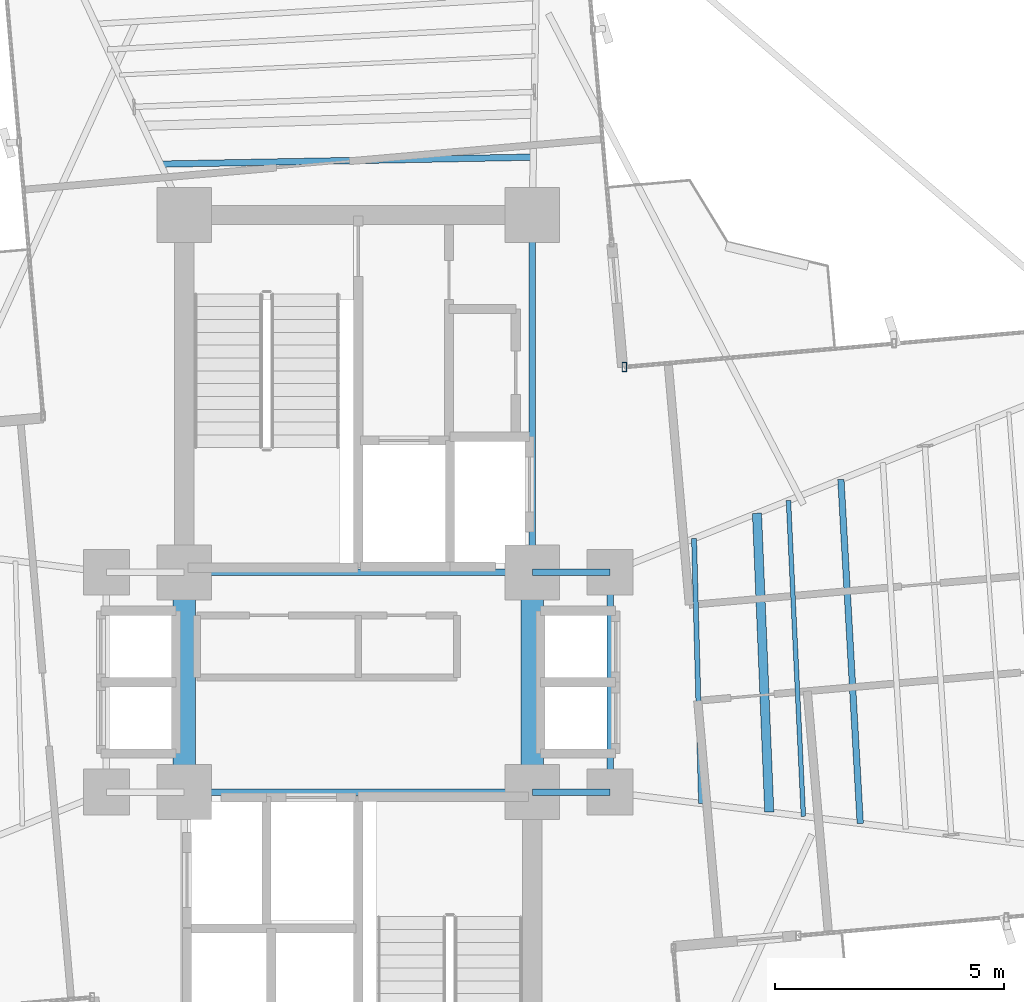
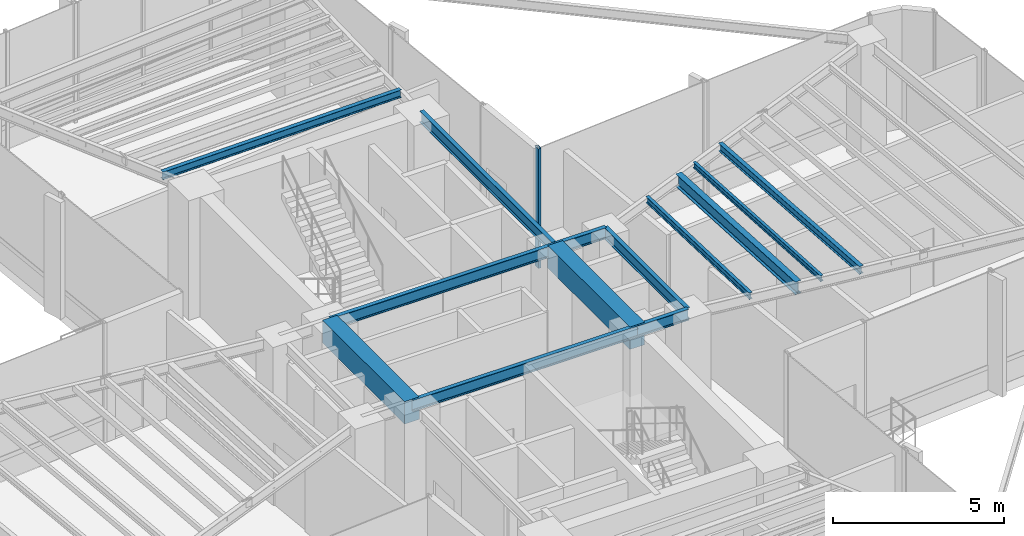
# One storey, part 6 of 19: 13 beams, 1 member, 1 element without a shape of its own.
"""IFC4 building model written with IfcOpenShell, lengths in metres."""

from ifc_helpers import new_model, si_unit, direction, frame, origin, origin_2d, place, context, subcontext, project, spatial, rectangle, hollow_rectangle, i_section, extrude, source, transform, mapped, material, material_profile, profile_set, type_object, element, aggregate, save


model = new_model("IFC4")

# Units and contexts
model_context = context("Model", 3, precision=1e-05, world=origin(), true_north=direction((0.0, 1.0)))
body_context = subcontext(model_context, "Body", "Model", "MODEL_VIEW")
ifc_project = project(units=[si_unit("LENGTHUNIT", "METRE"), si_unit("AREAUNIT", "SQUARE_METRE"), si_unit("VOLUMEUNIT", "CUBIC_METRE"), si_unit("PLANEANGLEUNIT", "RADIAN"), si_unit("MASSUNIT", "GRAM", prefix="KILO")], contexts=[model_context])

# Site, building, storey
site_placement = place(None, origin())
site = spatial("IfcSite", under=ifc_project, at=site_placement, CompositionType="ELEMENT")
building_placement = place(site_placement, origin())
building = spatial("IfcBuilding", under=site, at=building_placement, Name="Sahyath Konkavel Grand Hotel", CompositionType="ELEMENT")
storey_placement = place(building_placement, frame((0.0, 0.0, 142.75)))
storey = spatial("IfcBuildingStorey", under=building, at=storey_placement, Name="L39", CompositionType="ELEMENT", Elevation=142.75)

# Beams
ifc_material_1 = material(Name="Steel E350", Category="steel")
ifc_material_profile_1 = material_profile(ifc_material_1, i_section(OverallWidth=0.139892578125, OverallDepth=0.39990234375, WebThickness=0.0087890625, FlangeThickness=0.01611328125, FilletRadius=0.013916015625, at=origin_2d()), Name="ISMB 400")
ifc_profile_set_1 = profile_set([ifc_material_profile_1], Name="Steel E350")
beam_type_1 = type_object("IfcBeamType", Name="BM-ISMB400", PredefinedType="BEAM", material=ifc_profile_set_1)
shared_shape_1 = source(origin(), body_context, "Body", "SweptSolid", [
    extrude(i_section(OverallWidth=0.139892578125, OverallDepth=0.39990234375, WebThickness=0.0087890625, FlangeThickness=0.01611328125, FilletRadius=0.013916015625, at=origin_2d()), origin(), (0.0, 0.0, 1.0), 7.60009765625),
])
for number, where, z_axis, x_axis, name in (
    (1, (-3.800048828125, 2.39990234375, 4.06005859375), (1.0, 0.0, 0.0), (0.0, 1.0, 0.0), "str:bm:L39:NC-S"),
    (2, (-3.800048828125, -2.39990234375, 4.06005859375), (1.0, 0.0, 0.0), (0.0, 1.0, 0.0), "str:bm:L39:SC-N"),
):
    element("IfcBeam", number, at=place(storey_placement, frame(where, z_axis=z_axis, x_axis=x_axis)), inside=storey, type_object=beam_type_1, Name=name, PredefinedType="BEAM", context=body_context, shape_type="MappedRepresentation", body=[
        mapped(shared_shape_1, transform((0.0, 0.0, 0.0), scale=1.0)),
    ])
shared_shape_2 = source(origin(), body_context, "Body", "SweptSolid", [
    extrude(i_section(OverallWidth=0.139892578125, OverallDepth=0.39990234375, WebThickness=0.0087890625, FlangeThickness=0.01611328125, FilletRadius=0.013916015625, at=origin_2d()), origin(), (0.0, 0.0, 1.0), 7.800048828125),
])
beam_1_placement = place(storey_placement, frame((3.800048828125, 2.39990234375, 4.06005859375), z_axis=(0.0, 1.0, 0.0), x_axis=(-1.0, 0.0, 0.0)))
element("IfcBeam", 3, at=beam_1_placement, inside=storey, type_object=beam_type_1, Name="str:bm:L39:NC-E", PredefinedType="BEAM", context=body_context, shape_type="MappedRepresentation", body=[
    mapped(shared_shape_2, transform((0.0, 0.0, 0.0), scale=1.0)),
])
shared_shape_3 = source(origin(), body_context, "Body", "SweptSolid", [
    extrude(i_section(OverallWidth=0.139892578125, OverallDepth=0.39990234375, WebThickness=0.0087890625, FlangeThickness=0.01611328125, FilletRadius=0.013916015625, at=origin_2d()), origin(), (0.0, 0.0, 1.0), 1.699951171875),
])
for number, where, z_axis, x_axis, name in (
    (4, (3.800048828125, 2.39990234375, 4.06005859375), (1.0, 0.0, 0.0), (0.0, 1.0, 0.0), "str:bm:L39:HB-NE"),
    (5, (3.800048828125, -2.39990234375, 4.06005859375), (1.0, 0.0, 0.0), (0.0, 1.0, 0.0), "str:bm:L39:HB-SE"),
):
    element("IfcBeam", number, at=place(storey_placement, frame(where, z_axis=z_axis, x_axis=x_axis)), inside=storey, type_object=beam_type_1, Name=name, PredefinedType="BEAM", context=body_context, shape_type="MappedRepresentation", body=[
        mapped(shared_shape_3, transform((0.0, 0.0, 0.0), scale=1.0)),
    ])
shared_shape_4 = source(origin(), body_context, "Body", "SweptSolid", [
    extrude(i_section(OverallWidth=0.139892578125, OverallDepth=0.39990234375, WebThickness=0.0087890625, FlangeThickness=0.01611328125, FilletRadius=0.013916015625, at=origin_2d()), origin(), (0.0, 0.0, 1.0), 4.7998046875),
])
beam_2_placement = place(storey_placement, frame((5.5, -2.39990234375, 4.06005859375), z_axis=(0.0, 1.0, 0.0), x_axis=(-1.0, 0.0, 0.0)))
element("IfcBeam", 6, at=beam_2_placement, inside=storey, type_object=beam_type_1, Name="str:bm:L39:HB-E", PredefinedType="BEAM", context=body_context, shape_type="MappedRepresentation", body=[
    mapped(shared_shape_4, transform((0.0, 0.0, 0.0), scale=1.0)),
])
ifc_material_2 = material(Name="Concrete C50/60", Category="concrete")
ifc_material_profile_2 = material_profile(ifc_material_2, rectangle(XDim=0.5, YDim=0.800048828125, at=origin_2d()), Name="RC 500x800")
ifc_profile_set_2 = profile_set([ifc_material_profile_2], Name="Concrete C50/60")
beam_type_2 = type_object("IfcBeamType", Name="BM-CB500x800", PredefinedType="LINTEL", material=ifc_profile_set_2)
shared_shape_5 = source(origin(), body_context, "Body", "SweptSolid", [
    extrude(rectangle(XDim=0.5, YDim=0.800048828125, at=origin_2d()), origin(), (0.0, 0.0, 1.0), 4.7998046875),
])
for number, where, z_axis, x_axis, name in (
    (7, (-3.800048828125, -2.39990234375, 3.860107421875), (0.0, 1.0, 0.0), (-1.0, 0.0, 0.0), "L39 Split-Core Coupling Beam West"),
    (8, (3.800048828125, -2.39990234375, 3.860107421875), (0.0, 1.0, 0.0), (-1.0, 0.0, 0.0), "L39 Split-Core Coupling Beam East"),
):
    element("IfcBeam", number, at=place(storey_placement, frame(where, z_axis=z_axis, x_axis=x_axis)), inside=storey, type_object=beam_type_2, Name=name, PredefinedType="LINTEL", context=body_context, shape_type="MappedRepresentation", body=[
        mapped(shared_shape_5, transform((0.0, 0.0, 0.0), scale=1.0)),
    ])
ifc_material_profile_3 = material_profile(ifc_material_1, i_section(OverallWidth=0.199951171875, OverallDepth=0.449951171875, WebThickness=0.00927734375, FlangeThickness=0.015380859375, FilletRadius=0.01611328125, at=origin_2d()), Name="ISWB 450")
ifc_profile_set_3 = profile_set([ifc_material_profile_3], Name="Steel E350")
beam_type_3 = type_object("IfcBeamType", Name="BM-ISWB450", PredefinedType="BEAM", material=ifc_profile_set_3)
shared_shape_6 = source(origin(), body_context, "Body", "SweptSolid", [
    extrude(i_section(OverallWidth=0.199951171875, OverallDepth=0.449951171875, WebThickness=0.00927734375, FlangeThickness=0.015380859375, FilletRadius=0.01611328125, at=origin_2d()), origin(), (0.0, 0.0, 1.0), 6.530029296875),
])
beam_3_placement = place(storey_placement, frame((8.9755859375, -2.835205078125, 4.034912109375), z_axis=(-0.04112667768, 0.999153940283, 0.0), x_axis=(-0.999153940283, -0.04112667768, 0.0)))
element("IfcBeam", 9, at=beam_3_placement, inside=storey, type_object=beam_type_3, Name="L39 Secondary Floor Beam E-1", PredefinedType="BEAM", context=body_context, shape_type="MappedRepresentation", body=[
    mapped(shared_shape_6, transform((0.0, 0.0, 0.0), scale=1.0)),
])
ifc_material_profile_4 = material_profile(ifc_material_1, i_section(OverallWidth=0.110107421875, OverallDepth=0.22509765625, WebThickness=0.006591796875, FlangeThickness=0.01171875, FilletRadius=0.011962890625, at=origin_2d()), Name="ISMB 225")
ifc_profile_set_4 = profile_set([ifc_material_profile_4], Name="Steel E350")
beam_type_4 = type_object("IfcBeamType", Name="BM-ISMB225", PredefinedType="BEAM", material=ifc_profile_set_4)
shared_shape_7 = source(origin(), body_context, "Body", "SweptSolid", [
    extrude(i_section(OverallWidth=0.110107421875, OverallDepth=0.22509765625, WebThickness=0.006591796875, FlangeThickness=0.01171875, FilletRadius=0.011962890625, at=origin_2d()), origin(), (0.0, 0.0, 1.0), 5.787353515625),
])
beam_4_placement = place(storey_placement, frame((7.486083984375, -2.648681640625, 4.1474609375), z_axis=(-0.026491943658, 0.99964902687, 0.0), x_axis=(-0.99964902687, -0.026491943658, 0.0)))
element("IfcBeam", 10, at=beam_4_placement, inside=storey, type_object=beam_type_4, Name="L39 Composite Deck Sub-Beam E-1", PredefinedType="BEAM", context=body_context, shape_type="MappedRepresentation", body=[
    mapped(shared_shape_7, transform((0.0, 0.0, 0.0), scale=1.0)),
])
ifc_material_profile_5 = material_profile(ifc_material_1, i_section(OverallWidth=0.10009765625, OverallDepth=0.199951171875, WebThickness=0.005615234375, FlangeThickness=0.0107421875, FilletRadius=0.010986328125, at=origin_2d()), Name="ISMB 200")
ifc_profile_set_5 = profile_set([ifc_material_profile_5], Name="Steel E350")
beam_type_5 = type_object("IfcBeamType", Name="BM-ISMB200", PredefinedType="BEAM", material=ifc_profile_set_5)
shared_shape_8 = source(origin(), body_context, "Body", "SweptSolid", [
    extrude(i_section(OverallWidth=0.10009765625, OverallDepth=0.199951171875, WebThickness=0.005615234375, FlangeThickness=0.0107421875, FilletRadius=0.010986328125, at=origin_2d()), origin(), (0.0, 0.0, 1.0), 6.901611328125),
])
beam_5_placement = place(storey_placement, frame((9.720458984375, -2.92822265625, 4.159912109375), z_axis=(-0.047260938611, 0.998882577524, 0.0), x_axis=(-0.998882577524, -0.047260938611, 0.0)))
element("IfcBeam", 11, at=beam_5_placement, inside=storey, type_object=beam_type_5, Name="L39 Composite Deck Sub-Beam E-2", PredefinedType="BEAM", context=body_context, shape_type="MappedRepresentation", body=[
    mapped(shared_shape_8, transform((0.0, 0.0, 0.0), scale=1.0)),
])
ifc_material_profile_6 = material_profile(ifc_material_1, i_section(OverallWidth=0.139892578125, OverallDepth=0.27490234375, WebThickness=0.00634765625, FlangeThickness=0.0087890625, FilletRadius=0.012939453125, at=origin_2d()), Name="ISLB 275")
ifc_profile_set_6 = profile_set([ifc_material_profile_6], Name="Steel E350")
beam_type_6 = type_object("IfcBeamType", Name="BM-ISLB275", PredefinedType="BEAM", material=ifc_profile_set_6)
shared_shape_9 = source(origin(), body_context, "Body", "SweptSolid", [
    extrude(i_section(OverallWidth=0.139892578125, OverallDepth=0.27490234375, WebThickness=0.00634765625, FlangeThickness=0.0087890625, FilletRadius=0.012939453125, at=origin_2d()), origin(), (0.0, 0.0, 1.0), 7.521484375),
])
beam_6_placement = place(storey_placement, frame((10.961669921875, -3.083740234375, 4.12255859375), z_axis=(-0.056090237508, 0.998425703423, 0.0), x_axis=(-0.998425703423, -0.056090237508, 0.0)))
element("IfcBeam", 12, at=beam_6_placement, inside=storey, type_object=beam_type_6, Name="L39 Composite Deck Sub-Beam E-3", PredefinedType="BEAM", context=body_context, shape_type="MappedRepresentation", body=[
    mapped(shared_shape_9, transform((0.0, 0.0, 0.0), scale=1.0)),
])
shared_shape_10 = source(origin(), body_context, "Body", "SweptSolid", [
    extrude(i_section(OverallWidth=0.139892578125, OverallDepth=0.27490234375, WebThickness=0.00634765625, FlangeThickness=0.0087890625, FilletRadius=0.012939453125, at=origin_2d()), origin(), (0.0, 0.0, 1.0), 8.138671875),
])
beam_7_placement = place(storey_placement, frame((3.82177734375, 11.4658203125, 4.12255859375), z_axis=(-0.99982253895, -0.018838540488, 0.0), x_axis=(0.018838540488, -0.99982253895, 0.0)))
element("IfcBeam", 13, at=beam_7_placement, inside=storey, type_object=beam_type_6, Name="L39 Composite Deck Sub-Beam N-1", PredefinedType="BEAM", context=body_context, shape_type="MappedRepresentation", body=[
    mapped(shared_shape_10, transform((0.0, 0.0, 0.0), scale=1.0)),
])

# Curtain wall, member
ifc_material_3 = material(Name="Anodised Bronze Aluminium & Low-E Glazing", Category="aluminium")
curtain_wall_type = type_object("IfcCurtainWallType", Name="CW-SKYLOBBY", PredefinedType="NOTDEFINED", material=ifc_material_3)
curtain_wall_placement = place(storey_placement, origin())
curtain_wall = element("IfcCurtainWall", 14, at=curtain_wall_placement, inside=storey, type_object=curtain_wall_type, Name="L39 Unitised Curtain Wall F7", PredefinedType="NOTDEFINED")
ifc_material_4 = material(Name="Anodised Bronze Aluminium", Category="aluminium")
ifc_material_profile_7 = material_profile(ifc_material_4, hollow_rectangle(XDim=0.10009765625, YDim=0.199951171875, WallThickness=0.008056640625, at=origin_2d()), Name="RHS 200x100x8")
ifc_profile_set_7 = profile_set([ifc_material_profile_7], Name="Anodised Bronze Aluminium")
member_type = type_object("IfcMemberType", Name="CW-MUL-200", PredefinedType="MULLION", material=ifc_profile_set_7)
shared_shape_11 = source(origin(), body_context, "Body", "SweptSolid", [
    extrude(hollow_rectangle(XDim=0.10009765625, YDim=0.199951171875, WallThickness=0.008056640625, at=origin_2d()), origin(), (0.0, 0.0, 1.0), 4.260009765625),
])
member_placement = place(storey_placement, frame((5.812255859375, 6.8828125, 0.0), z_axis=(0.0, 0.0, 1.0), x_axis=(1.0, 0.0, 0.0)))
member = element("IfcMember", 15, at=member_placement, type_object=member_type, Name="L39 Curtain Wall Mullion F7-2", PredefinedType="MULLION", context=body_context, shape_type="MappedRepresentation", body=[
    mapped(shared_shape_11, transform((0.0, 0.0, 0.0), scale=1.0)),
])
aggregate(curtain_wall, [member])

save(model, "model.ifc")
